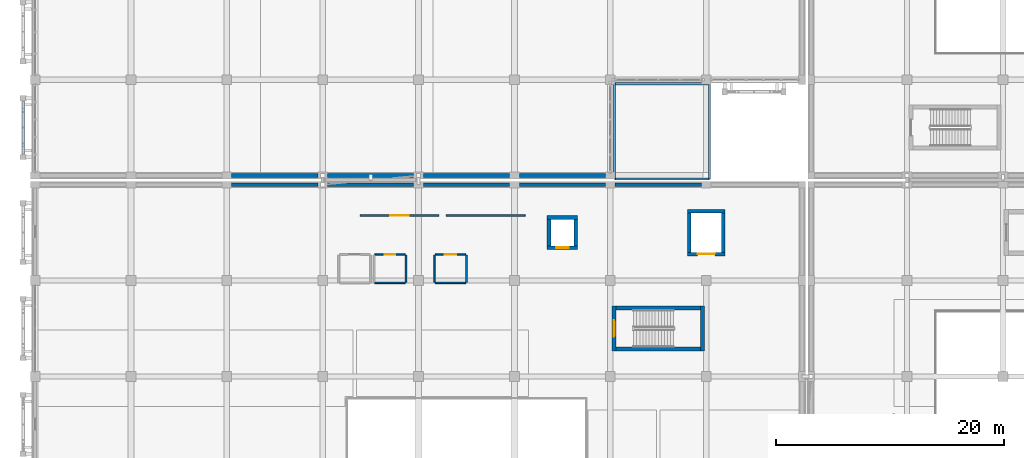
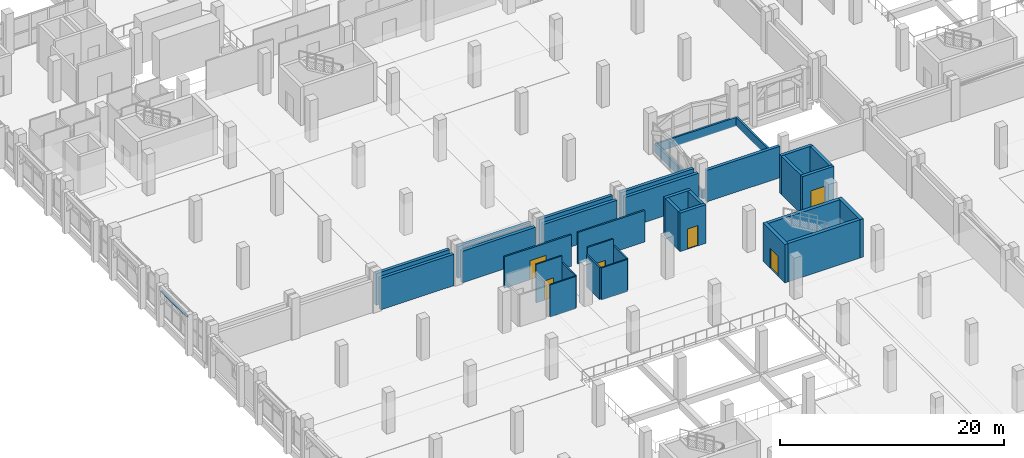
# One storey, part 113 of 137: 35 walls, 6 doors, 6 openings.
"""IFC4 building model written with IfcOpenShell, lengths in metres."""

from ifc_helpers import new_model, si_unit, direction, frame, frame_2d, origin, place, context, subcontext, project, spatial, rectangle, extrude, material, layer, layer_set, type_object, element, fill, save


model = new_model("IFC4")

# Units and contexts
model_context = context("Model", 3, precision=1e-05, world=origin(), true_north=direction((0.0, 1.0)))
body_context = subcontext(model_context, "Body", "Model", "MODEL_VIEW")
ifc_project = project(units=[si_unit("LENGTHUNIT", "METRE"), si_unit("AREAUNIT", "SQUARE_METRE"), si_unit("VOLUMEUNIT", "CUBIC_METRE"), si_unit("PLANEANGLEUNIT", "RADIAN"), si_unit("MASSUNIT", "GRAM", prefix="KILO")], contexts=[model_context])

# Site, building, storey
site_placement = place(None, origin())
site = spatial("IfcSite", under=ifc_project, at=site_placement, CompositionType="ELEMENT")
building_placement = place(site_placement, origin())
building = spatial("IfcBuilding", under=site, at=building_placement, Name="Xazarin Passage Department Store", CompositionType="ELEMENT")
storey_placement = place(building_placement, frame((0.0, 0.0, 5.39990234375)))
storey = spatial("IfcBuildingStorey", under=building, at=storey_placement, Name="L01", CompositionType="ELEMENT", Elevation=5.39990234375)

# Wall, opening, door
ifc_material_1 = material(Name="Buff Baku clay brick", Category="masonry")
ifc_layer_1 = layer(ifc_material_1, 0.169921875)
ifc_layer_set_1 = layer_set([ifc_layer_1], Name="Buff Baku clay brick")
wall_type_1 = type_object("IfcWallType", Name="ARC-W-CMP170", PredefinedType="PARTITIONING", material=ifc_layer_set_1)
wall_1_placement = place(storey_placement, frame((28.469970703125, 47.699951171875, 0.0), z_axis=(0.0, 0.0, 1.0), x_axis=(1.0, 0.0, 0.0)))
wall_1 = element("IfcWall", 1, at=wall_1_placement, inside=storey, type_object=wall_type_1, Name="L01 Tea House Gallery Front Wall 0125", PredefinedType="PARTITIONING", context=body_context, shape_type="SweptSolid", body=[
    extrude(rectangle(XDim=6.909912109375, YDim=0.169921875, at=frame_2d((3.455078125, 0.0))), origin(), (0.0, 0.0, 1.0), 3.43017578125),
])
opening_1_placement = place(wall_1_placement, frame((2.635009765625, 0.0, 0.0)))
opening_1 = element("IfcOpeningElement", 2, at=opening_1_placement, cuts=wall_1, Name="Opening ID43", PredefinedType="OPENING", context=body_context, shape_type="SweptSolid", body=[
    extrude(rectangle(XDim=1.639892578125, YDim=2.10009765625, at=frame_2d((0.81982421875, 1.050048828125))), frame((0.0, 0.094970703125, 0.0), z_axis=(0.0, -1.0, 0.0), x_axis=(1.0, 0.0, 0.0)), (0.0, 0.0, 1.0), 0.18994140625),
])
ifc_material_2 = material(Name="Bronze anodised aluminium", Category="aluminium")
door_type_1 = type_object("IfcDoorType", Name="ARC-DR-ID43", OperationType="NOTDEFINED", PredefinedType="DOOR", material=ifc_material_2)
door_1_placement = place(opening_1_placement, origin())
door_1 = element("IfcDoor", 3, at=door_1_placement, inside=storey, type_object=door_type_1, Name="DR-INT-L01-0125", OperationType="DOUBLE_DOOR_SINGLE_SWING", OverallHeight=2.10009765625, OverallWidth=1.639892578125, PredefinedType="DOOR", context=body_context, shape_type="SweptSolid", body=[
    extrude(rectangle(XDim=1.639892578125, YDim=2.10009765625, at=frame_2d((0.81982421875, 1.050048828125))), frame((0.0, 0.02490234375, 0.0), z_axis=(0.0, -1.0, 0.0), x_axis=(1.0, 0.0, 0.0)), (0.0, 0.0, 1.0), 0.050048828125),
])
fill(opening_1, door_1)

# Walls
wall_2_placement = place(storey_placement, frame((36.02001953125, 47.699951171875, 0.0), z_axis=(0.0, 0.0, 1.0), x_axis=(1.0, 0.0, 0.0)))
element("IfcWall", 4, at=wall_2_placement, inside=storey, type_object=wall_type_1, Name="L01 Tea House Gallery Front Wall 0126", PredefinedType="PARTITIONING", context=body_context, shape_type="SweptSolid", body=[
    extrude(rectangle(XDim=6.909912109375, YDim=0.169921875, at=frame_2d((3.455078125, 0.0))), origin(), (0.0, 0.0, 1.0), 3.43017578125),
])
ifc_layer_2 = layer(ifc_material_1, 0.320068359375)
ifc_layer_set_2 = layer_set([ifc_layer_2], Name="Buff Baku clay brick")
wall_type_2 = type_object("IfcWallType", Name="ARC-W-EXT320", PredefinedType="SOLIDWALL", material=ifc_layer_set_2)
wall_3_placement = place(storey_placement, frame((17.22509765625, 51.199951171875, 0.0), z_axis=(0.0, 0.0, 1.0), x_axis=(1.0, 0.0, 0.0)))
element("IfcWall", 5, at=wall_3_placement, inside=storey, type_object=wall_type_2, Name="L01 V1 Exterior Wall 026", PredefinedType="SOLIDWALL", context=body_context, shape_type="SweptSolid", body=[
    extrude(rectangle(XDim=7.5498046875, YDim=0.320068359375, at=frame_2d((3.77490234375, 0.0))), origin(), (0.0, 0.0, 1.0), 3.4501953125),
])
for number, where, z_axis, x_axis, name in (
    (6, (25.625, 51.199951171875, 0.0), (0.0, 0.0, 1.0), (1.0, 0.0, 0.0), "L01 V1 Exterior Wall 027"),
    (7, (34.02490234375, 51.199951171875, 0.0), (0.0, 0.0, 1.0), (1.0, 0.0, 0.0), "L01 V1 Exterior Wall 028"),
    (8, (42.425048828125, 51.199951171875, 0.0), (0.0, 0.0, 1.0), (1.0, 0.0, 0.0), "L01 V1 Exterior Wall 029"),
):
    element("IfcWall", number, at=place(storey_placement, frame(where, z_axis=z_axis, x_axis=x_axis)), inside=storey, type_object=wall_type_2, Name=name, PredefinedType="SOLIDWALL", context=body_context, shape_type="SweptSolid", body=[
        extrude(rectangle(XDim=7.550048828125, YDim=0.320068359375, at=frame_2d((3.77490234375, 0.0))), origin(), (0.0, 0.0, 1.0), 3.4501953125),
    ])
wall_4_placement = place(storey_placement, frame((17.22509765625, 50.39990234375, 0.0), z_axis=(0.0, 0.0, 1.0), x_axis=(1.0, 0.0, 0.0)))
element("IfcWall", 9, at=wall_4_placement, inside=storey, type_object=wall_type_2, Name="L01 V3 Exterior Wall 211", PredefinedType="SOLIDWALL", context=body_context, shape_type="SweptSolid", body=[
    extrude(rectangle(XDim=7.5498046875, YDim=0.320068359375, at=frame_2d((3.77490234375, 0.0))), origin(), (0.0, 0.0, 1.0), 3.43017578125),
])
for number, where, z_axis, x_axis, name in (
    (10, (25.625, 50.39990234375, 0.0), (0.0, 0.0, 1.0), (1.0, 0.0, 0.0), "L01 V3 Exterior Wall 212"),
    (11, (34.02490234375, 50.39990234375, 0.0), (0.0, 0.0, 1.0), (1.0, 0.0, 0.0), "L01 V3 Exterior Wall 213"),
    (12, (42.425048828125, 50.39990234375, 0.0), (0.0, 0.0, 1.0), (1.0, 0.0, 0.0), "L01 V3 Exterior Wall 214"),
    (13, (50.824951171875, 50.39990234375, 0.0), (0.0, 0.0, 1.0), (1.0, 0.0, 0.0), "L01 V3 Exterior Wall 215"),
):
    element("IfcWall", number, at=place(storey_placement, frame(where, z_axis=z_axis, x_axis=x_axis)), inside=storey, type_object=wall_type_2, Name=name, PredefinedType="SOLIDWALL", context=body_context, shape_type="SweptSolid", body=[
        extrude(rectangle(XDim=7.550048828125, YDim=0.320068359375, at=frame_2d((3.77490234375, 0.0))), origin(), (0.0, 0.0, 1.0), 3.43017578125),
    ])
ifc_material_3 = material(Name="Precast concrete C40/50", Category="concrete")
ifc_layer_3 = layer(ifc_material_3, 0.18994140625)
ifc_layer_set_3 = layer_set([ifc_layer_3], Name="Precast concrete C40/50")
wall_type_3 = type_object("IfcWallType", Name="ARC-W-PAR190", PredefinedType="PARAPET", material=ifc_layer_set_3)
for number, where, z_axis, x_axis, name in (
    (14, (59.10009765625, 59.25, 0.0), (0.0, 0.0, 1.0), (-1.0, 0.0, 0.0), "L01 Roof Parapet 001"),
    (15, (50.75, 59.25, 0.0), (0.0, 0.0, 1.0), (0.0, -1.0, 0.0), "L01 Roof Parapet 002"),
    (16, (50.75, 50.89990234375, 0.0), (0.0, 0.0, 1.0), (1.0, 0.0, 0.0), "L01 Roof Parapet 003"),
    (17, (59.10009765625, 50.89990234375, 0.0), (0.0, 0.0, 1.0), (0.0, 1.0, 0.0), "L01 Roof Parapet 004"),
):
    element("IfcWall", number, at=place(storey_placement, frame(where, z_axis=z_axis, x_axis=x_axis)), inside=storey, type_object=wall_type_3, Name=name, PredefinedType="PARAPET", context=body_context, shape_type="SweptSolid", body=[
        extrude(rectangle(XDim=8.35009765625, YDim=0.18994140625, at=frame_2d((4.175048828125, 0.0))), origin(), (0.0, 0.0, 1.0), 0.9501953125),
    ])
ifc_layer_4 = layer(ifc_material_3, 0.2099609375)
ifc_layer_set_4 = layer_set([ifc_layer_4], Name="Precast concrete C40/50")
wall_type_4 = type_object("IfcWallType", Name="ARC-W-PAR210", PredefinedType="PARAPET", material=ifc_layer_set_4)
wall_5_placement = place(storey_placement, frame((-1.050048828125, 53.070068359375, 3.880126953125), z_axis=(0.0, 0.0, 1.0), x_axis=(0.0, 1.0, 0.0)))
element("IfcWall", 18, at=wall_5_placement, inside=storey, type_object=wall_type_4, Name="L01 V1 Pierced-Arch Spandrel Lintel 0038", PredefinedType="PARAPET", context=body_context, shape_type="SweptSolid", body=[
    extrude(rectangle(XDim=4.659912109375, YDim=0.2099609375, at=frame_2d((2.330078125, 0.0))), origin(), (0.0, 0.0, 1.0), 0.119873046875),
])

# Wall, opening, door
ifc_material_4 = material(Name="Moisture-resistant masonry partition", Category="masonry")
ifc_layer_5 = layer(ifc_material_4, 0.139892578125)
ifc_layer_set_5 = layer_set([ifc_layer_5], Name="Moisture-resistant masonry partition")
wall_type_5 = type_object("IfcWallType", Name="ARC-W-PRT140", PredefinedType="PARTITIONING", material=ifc_layer_set_5)
wall_6_placement = place(storey_placement, frame((29.77001953125, 44.300048828125, 0.0), z_axis=(0.0, 0.0, 1.0), x_axis=(1.0, 0.0, 0.0)))
wall_6 = element("IfcWall", 19, at=wall_6_placement, inside=storey, type_object=wall_type_5, Name="L01 Public Female WC 0117", PredefinedType="PARTITIONING", context=body_context, shape_type="SweptSolid", body=[
    extrude(rectangle(XDim=2.659912109375, YDim=0.139892578125, at=frame_2d((1.330078125, 0.0))), origin(), (0.0, 0.0, 1.0), 4.2001953125),
])
opening_2_placement = place(wall_6_placement, frame((0.8701171875, 0.0, 0.0)))
opening_2 = element("IfcOpeningElement", 20, at=opening_2_placement, cuts=wall_6, Name="Opening ID1", PredefinedType="OPENING", context=body_context, shape_type="SweptSolid", body=[
    extrude(rectangle(XDim=0.919921875, YDim=2.1201171875, at=frame_2d((0.4599609375, 1.06005859375))), frame((0.0, 0.079833984375, 0.0), z_axis=(0.0, -1.0, 0.0), x_axis=(1.0, 0.0, 0.0)), (0.0, 0.0, 1.0), 0.159912109375),
])
ifc_material_5 = material(Name="Timber acoustic leaf", Category="wood")
door_type_2 = type_object("IfcDoorType", Name="ARC-DR-WC092", OperationType="NOTDEFINED", PredefinedType="DOOR", material=ifc_material_5)
door_2_placement = place(opening_2_placement, origin())
door_2 = element("IfcDoor", 21, at=door_2_placement, inside=storey, type_object=door_type_2, Name="DR-INT-L01-0117", OperationType="SINGLE_SWING_LEFT", OverallHeight=2.1201171875, OverallWidth=0.919921875, PredefinedType="DOOR", context=body_context, shape_type="SweptSolid", body=[
    extrude(rectangle(XDim=0.919921875, YDim=2.1201171875, at=frame_2d((0.4599609375, 1.06005859375))), frame((0.0, 0.02490234375, 0.0), z_axis=(0.0, -1.0, 0.0), x_axis=(1.0, 0.0, 0.0)), (0.0, 0.0, 1.0), 0.050048828125),
])
fill(opening_2, door_2)

# Walls
wall_7_placement = place(storey_placement, frame((29.77001953125, 41.800048828125, 0.0), z_axis=(0.0, 0.0, 1.0), x_axis=(1.0, 0.0, 0.0)))
element("IfcWall", 22, at=wall_7_placement, inside=storey, type_object=wall_type_5, Name="L01 Public Female WC Back Wall 0118", PredefinedType="PARTITIONING", context=body_context, shape_type="SweptSolid", body=[
    extrude(rectangle(XDim=2.659912109375, YDim=0.139892578125, at=frame_2d((1.330078125, 0.0))), origin(), (0.0, 0.0, 1.0), 3.47998046875),
])
wall_8_placement = place(storey_placement, frame((32.5, 41.8701171875, 0.0), z_axis=(0.0, 0.0, 1.0), x_axis=(0.0, 1.0, 0.0)))
element("IfcWall", 23, at=wall_8_placement, inside=storey, type_object=wall_type_5, Name="L01 Public Female WC Side Wall 0120", PredefinedType="PARTITIONING", context=body_context, shape_type="SweptSolid", body=[
    extrude(rectangle(XDim=2.35986328125, YDim=0.139892578125, at=frame_2d((1.179931640625, 0.0))), origin(), (0.0, 0.0, 1.0), 3.47998046875),
])

# Wall, opening, door
wall_9_placement = place(storey_placement, frame((35.070068359375, 44.300048828125, 0.0), z_axis=(0.0, 0.0, 1.0), x_axis=(1.0, 0.0, 0.0)))
wall_9 = element("IfcWall", 24, at=wall_9_placement, inside=storey, type_object=wall_type_5, Name="L01 Accessible WC 0121", PredefinedType="PARTITIONING", context=body_context, shape_type="SweptSolid", body=[
    extrude(rectangle(XDim=2.659912109375, YDim=0.139892578125, at=frame_2d((1.330078125, 0.0))), origin(), (0.0, 0.0, 1.0), 4.2001953125),
])
opening_3_placement = place(wall_9_placement, frame((0.820068359375, 0.0, 0.0)))
opening_3 = element("IfcOpeningElement", 25, at=opening_3_placement, cuts=wall_9, Name="Opening ID2", PredefinedType="OPENING", context=body_context, shape_type="SweptSolid", body=[
    extrude(rectangle(XDim=1.02001953125, YDim=2.14990234375, at=frame_2d((0.510009765625, 1.074951171875))), frame((0.0, 0.079833984375, 0.0), z_axis=(0.0, -1.0, 0.0), x_axis=(1.0, 0.0, 0.0)), (0.0, 0.0, 1.0), 0.159912109375),
])
door_type_3 = type_object("IfcDoorType", Name="ARC-DR-AWC102", OperationType="NOTDEFINED", PredefinedType="DOOR", material=ifc_material_5)
door_3_placement = place(opening_3_placement, origin())
door_3 = element("IfcDoor", 26, at=door_3_placement, inside=storey, type_object=door_type_3, Name="DR-INT-L01-0121", OperationType="SINGLE_SWING_RIGHT", OverallHeight=2.14990234375, OverallWidth=1.02001953125, PredefinedType="DOOR", context=body_context, shape_type="SweptSolid", body=[
    extrude(rectangle(XDim=1.02001953125, YDim=2.14990234375, at=frame_2d((0.510009765625, 1.074951171875))), frame((0.0, 0.02490234375, 0.0), z_axis=(0.0, -1.0, 0.0), x_axis=(1.0, 0.0, 0.0)), (0.0, 0.0, 1.0), 0.050048828125),
])
fill(opening_3, door_3)

# Walls
wall_10_placement = place(storey_placement, frame((35.070068359375, 41.800048828125, 0.0), z_axis=(0.0, 0.0, 1.0), x_axis=(1.0, 0.0, 0.0)))
element("IfcWall", 27, at=wall_10_placement, inside=storey, type_object=wall_type_5, Name="L01 Accessible WC Back Wall 0122", PredefinedType="PARTITIONING", context=body_context, shape_type="SweptSolid", body=[
    extrude(rectangle(XDim=2.659912109375, YDim=0.139892578125, at=frame_2d((1.330078125, 0.0))), origin(), (0.0, 0.0, 1.0), 3.47998046875),
])
for number, where, z_axis, x_axis, name in (
    (28, (35.0, 41.8701171875, 0.0), (0.0, 0.0, 1.0), (0.0, 1.0, 0.0), "L01 Accessible WC Side Wall 0123"),
    (29, (37.800048828125, 41.8701171875, 0.0), (0.0, 0.0, 1.0), (0.0, 1.0, 0.0), "L01 Accessible WC Side Wall 0124"),
):
    element("IfcWall", number, at=place(storey_placement, frame(where, z_axis=z_axis, x_axis=x_axis)), inside=storey, type_object=wall_type_5, Name=name, PredefinedType="PARTITIONING", context=body_context, shape_type="SweptSolid", body=[
        extrude(rectangle(XDim=2.35986328125, YDim=0.139892578125, at=frame_2d((1.179931640625, 0.0))), origin(), (0.0, 0.0, 1.0), 3.47998046875),
    ])

# Wall, opening, door
ifc_material_6 = material(Name="Concrete C40/50", Category="concrete")
ifc_layer_6 = layer(ifc_material_6, 0.31005859375)
ifc_layer_set_6 = layer_set([ifc_layer_6], Name="Concrete C40/50")
wall_type_6 = type_object("IfcWallType", Name="STR-W-LFT310", PredefinedType="SHEAR", material=ifc_layer_set_6)
wall_11_placement = place(storey_placement, frame((44.8701171875, 44.875, 0.0), z_axis=(0.0, 0.0, 1.0), x_axis=(1.0, 0.0, 0.0)))
wall_11 = element("IfcWall", 30, at=wall_11_placement, inside=storey, type_object=wall_type_6, Name="L01 Lift PL4 Shaft Wall South", PredefinedType="SHEAR", context=body_context, shape_type="SweptSolid", body=[
    extrude(rectangle(XDim=2.659912109375, YDim=0.31005859375, at=frame_2d((1.330078125, 0.0))), origin(), (0.0, 0.0, 1.0), 4.2001953125),
])
opening_4_placement = place(wall_11_placement, frame((0.780029296875, 0.0, 0.0)))
opening_4 = element("IfcOpeningElement", 31, at=opening_4_placement, cuts=wall_11, Name="Opening LD-PL4-L01", PredefinedType="OPENING", context=body_context, shape_type="SweptSolid", body=[
    extrude(rectangle(XDim=1.10009765625, YDim=2.199951171875, at=frame_2d((0.550048828125, 1.10009765625))), frame((0.0, 0.1650390625, 0.0), z_axis=(0.0, -1.0, 0.0), x_axis=(1.0, 0.0, 0.0)), (0.0, 0.0, 1.0), 0.330078125),
])
ifc_material_7 = material(Name="Steel S355", Category="steel")
door_type_4 = type_object("IfcDoorType", Name="ARC-DR-LD110", OperationType="NOTDEFINED", PredefinedType="DOOR", material=ifc_material_7)
door_4_placement = place(opening_4_placement, origin())
door_4 = element("IfcDoor", 32, at=door_4_placement, inside=storey, type_object=door_type_4, Name="DR-LD-PL4-L01", OperationType="SLIDING_TO_LEFT", OverallHeight=2.199951171875, OverallWidth=1.10009765625, PredefinedType="DOOR", context=body_context, shape_type="SweptSolid", body=[
    extrude(rectangle(XDim=1.10009765625, YDim=2.199951171875, at=frame_2d((0.550048828125, 1.10009765625))), frame((0.0, 0.02490234375, 0.0), z_axis=(0.0, -1.0, 0.0), x_axis=(1.0, 0.0, 0.0)), (0.0, 0.0, 1.0), 0.050048828125),
])
fill(opening_4, door_4)

# Walls
wall_12_placement = place(storey_placement, frame((44.8701171875, 47.52490234375, 0.0), z_axis=(0.0, 0.0, 1.0), x_axis=(1.0, 0.0, 0.0)))
element("IfcWall", 33, at=wall_12_placement, inside=storey, type_object=wall_type_6, Name="L01 Lift PL4 Shaft Wall North", PredefinedType="SHEAR", context=body_context, shape_type="SweptSolid", body=[
    extrude(rectangle(XDim=2.659912109375, YDim=0.31005859375, at=frame_2d((1.330078125, 0.0))), origin(), (0.0, 0.0, 1.0), 4.2001953125),
])
for number, where, z_axis, x_axis, name in (
    (34, (45.02490234375, 45.030029296875, 0.0), (0.0, 0.0, 1.0), (0.0, 1.0, 0.0), "L01 Lift PL4 Shaft Wall West"),
    (35, (47.375, 45.030029296875, 0.0), (0.0, 0.0, 1.0), (0.0, 1.0, 0.0), "L01 Lift PL4 Shaft Wall East"),
):
    element("IfcWall", number, at=place(storey_placement, frame(where, z_axis=z_axis, x_axis=x_axis)), inside=storey, type_object=wall_type_6, Name=name, PredefinedType="SHEAR", context=body_context, shape_type="SweptSolid", body=[
        extrude(rectangle(XDim=2.340087890625, YDim=0.31005859375, at=frame_2d((1.169921875, 0.0))), origin(), (0.0, 0.0, 1.0), 4.2001953125),
    ])

# Wall, opening, door
wall_13_placement = place(storey_placement, frame((57.169921875, 44.324951171875, 0.0), z_axis=(0.0, 0.0, 1.0), x_axis=(1.0, 0.0, 0.0)))
wall_13 = element("IfcWall", 36, at=wall_13_placement, inside=storey, type_object=wall_type_6, Name="L01 Lift GL3 Shaft Wall South", PredefinedType="SHEAR", context=body_context, shape_type="SweptSolid", body=[
    extrude(rectangle(XDim=3.260009765625, YDim=0.31005859375, at=frame_2d((1.6298828125, 0.0))), origin(), (0.0, 0.0, 1.0), 4.2001953125),
])
opening_5_placement = place(wall_13_placement, frame((0.8798828125, 0.0, 0.0)))
opening_5 = element("IfcOpeningElement", 37, at=opening_5_placement, cuts=wall_13, Name="Opening LD-GL3-L01", PredefinedType="OPENING", context=body_context, shape_type="SweptSolid", body=[
    extrude(rectangle(XDim=1.5, YDim=2.35009765625, at=frame_2d((0.75, 1.175048828125))), frame((0.0, 0.1650390625, 0.0), z_axis=(0.0, -1.0, 0.0), x_axis=(1.0, 0.0, 0.0)), (0.0, 0.0, 1.0), 0.330078125),
])
door_type_5 = type_object("IfcDoorType", Name="ARC-DR-LD150", OperationType="NOTDEFINED", PredefinedType="DOOR", material=ifc_material_7)
door_5_placement = place(opening_5_placement, origin())
door_5 = element("IfcDoor", 38, at=door_5_placement, inside=storey, type_object=door_type_5, Name="DR-LD-GL3-L01", OperationType="SLIDING_TO_LEFT", OverallHeight=2.35009765625, OverallWidth=1.5, PredefinedType="DOOR", context=body_context, shape_type="SweptSolid", body=[
    extrude(rectangle(XDim=1.5, YDim=2.35009765625, at=frame_2d((0.75, 1.175048828125))), frame((0.0, 0.02490234375, 0.0), z_axis=(0.0, -1.0, 0.0), x_axis=(1.0, 0.0, 0.0)), (0.0, 0.0, 1.0), 0.050048828125),
])
fill(opening_5, door_5)

# Walls
wall_14_placement = place(storey_placement, frame((57.169921875, 48.074951171875, 0.0), z_axis=(0.0, 0.0, 1.0), x_axis=(1.0, 0.0, 0.0)))
element("IfcWall", 39, at=wall_14_placement, inside=storey, type_object=wall_type_6, Name="L01 Lift GL3 Shaft Wall North", PredefinedType="SHEAR", context=body_context, shape_type="SweptSolid", body=[
    extrude(rectangle(XDim=3.260009765625, YDim=0.31005859375, at=frame_2d((1.6298828125, 0.0))), origin(), (0.0, 0.0, 1.0), 4.2001953125),
])
for number, where, z_axis, x_axis, name in (
    (40, (57.324951171875, 44.47998046875, 0.0), (0.0, 0.0, 1.0), (0.0, 1.0, 0.0), "L01 Lift GL3 Shaft Wall West"),
    (41, (60.27490234375, 44.47998046875, 0.0), (0.0, 0.0, 1.0), (0.0, 1.0, 0.0), "L01 Lift GL3 Shaft Wall East"),
):
    element("IfcWall", number, at=place(storey_placement, frame(where, z_axis=z_axis, x_axis=x_axis)), inside=storey, type_object=wall_type_6, Name=name, PredefinedType="SHEAR", context=body_context, shape_type="SweptSolid", body=[
        extrude(rectangle(XDim=3.43994140625, YDim=0.31005859375, at=frame_2d((1.719970703125, 0.0))), origin(), (0.0, 0.0, 1.0), 4.2001953125),
    ])

# Wall, opening, door
ifc_layer_7 = layer(ifc_material_6, 0.35009765625)
ifc_layer_set_7 = layer_set([ifc_layer_7], Name="Concrete C40/50")
wall_type_7 = type_object("IfcWallType", Name="STR-W-SHR350", PredefinedType="SHEAR", material=ifc_layer_set_7)
wall_15_placement = place(storey_placement, frame((50.72509765625, 39.77001953125, 0.0), z_axis=(0.0, 0.0, 1.0), x_axis=(0.0, -1.0, 0.0)))
wall_15 = element("IfcWall", 42, at=wall_15_placement, inside=storey, type_object=wall_type_7, Name="L01 Core K9 West Shear Wall", PredefinedType="SHEAR", context=body_context, shape_type="SweptSolid", body=[
    extrude(rectangle(XDim=3.93994140625, YDim=0.35009765625, at=frame_2d((1.969970703125, 0.0))), origin(), (0.0, 0.0, 1.0), 4.18017578125),
])
opening_6_placement = place(wall_15_placement, frame((1.2451171875, 0.0, 0.0)))
opening_6 = element("IfcOpeningElement", 43, at=opening_6_placement, cuts=wall_15, Name="Opening FD1", PredefinedType="OPENING", context=body_context, shape_type="SweptSolid", body=[
    extrude(rectangle(XDim=1.449951171875, YDim=2.199951171875, at=frame_2d((0.72509765625, 1.10009765625))), frame((0.0, 0.18505859375, 0.0), z_axis=(0.0, -1.0, 0.0), x_axis=(1.0, 0.0, 0.0)), (0.0, 0.0, 1.0), 0.3701171875),
])
door_type_6 = type_object("IfcDoorType", Name="ARC-DR-STR145", OperationType="NOTDEFINED", PredefinedType="DOOR", material=ifc_material_7)
door_6_placement = place(opening_6_placement, origin())
door_6 = element("IfcDoor", 44, at=door_6_placement, inside=storey, type_object=door_type_6, Name="DR-STR-K9-L01", OperationType="SINGLE_SWING_RIGHT", OverallHeight=2.199951171875, OverallWidth=1.449951171875, PredefinedType="DOOR", context=body_context, shape_type="SweptSolid", body=[
    extrude(rectangle(XDim=1.449951171875, YDim=2.199951171875, at=frame_2d((0.72509765625, 1.10009765625))), frame((0.0, 0.02490234375, 0.0), z_axis=(0.0, -1.0, 0.0), x_axis=(1.0, 0.0, 0.0)), (0.0, 0.0, 1.0), 0.050048828125),
])
fill(opening_6, door_6)

# Walls
wall_16_placement = place(storey_placement, frame((58.47509765625, 35.830078125, 0.0), z_axis=(0.0, 0.0, 1.0), x_axis=(0.0, 1.0, 0.0)))
element("IfcWall", 45, at=wall_16_placement, inside=storey, type_object=wall_type_7, Name="L01 Core K9 East Shear Wall", PredefinedType="SHEAR", context=body_context, shape_type="SweptSolid", body=[
    extrude(rectangle(XDim=3.93994140625, YDim=0.35009765625, at=frame_2d((1.969970703125, 0.0))), origin(), (0.0, 0.0, 1.0), 4.18017578125),
])
for number, where, z_axis, x_axis, name in (
    (46, (50.89990234375, 36.0048828125, 0.0), (0.0, 0.0, 1.0), (1.0, 0.0, 0.0), "L01 Core K9 South Shear Wall"),
    (47, (50.89990234375, 39.594970703125, 0.0), (0.0, 0.0, 1.0), (1.0, 0.0, 0.0), "L01 Core K9 North Shear Wall"),
):
    element("IfcWall", number, at=place(storey_placement, frame(where, z_axis=z_axis, x_axis=x_axis)), inside=storey, type_object=wall_type_7, Name=name, PredefinedType="SHEAR", context=body_context, shape_type="SweptSolid", body=[
        extrude(rectangle(XDim=7.400146484375, YDim=0.35009765625, at=frame_2d((3.7001953125, 0.0))), origin(), (0.0, 0.0, 1.0), 4.18017578125),
    ])

save(model, "model.ifc")
